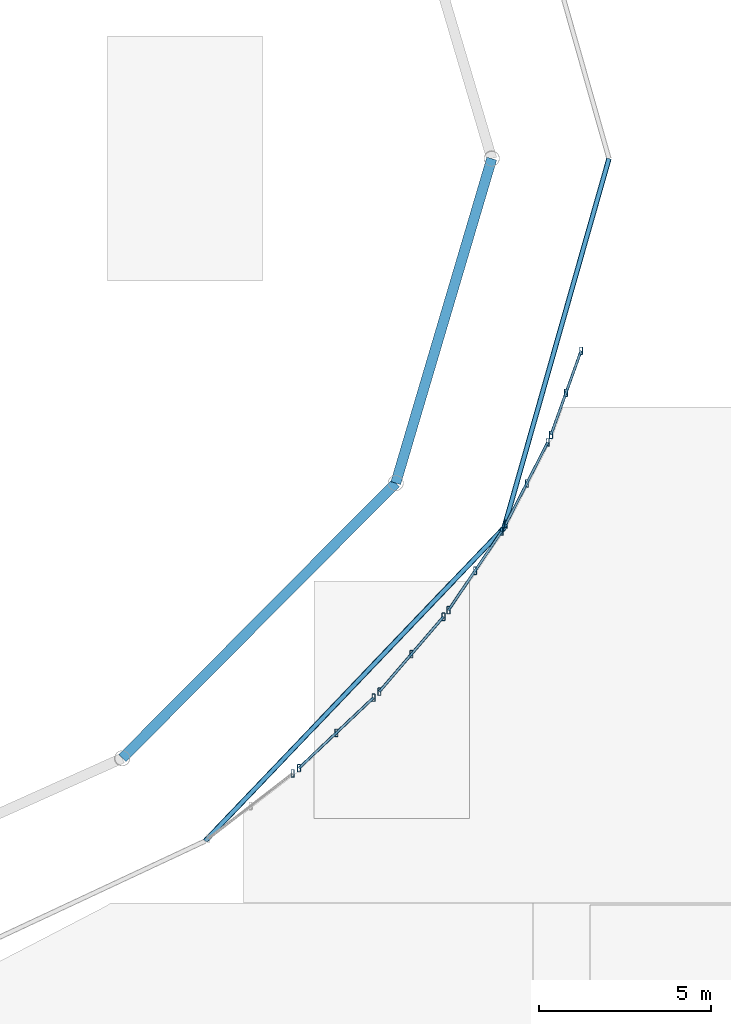
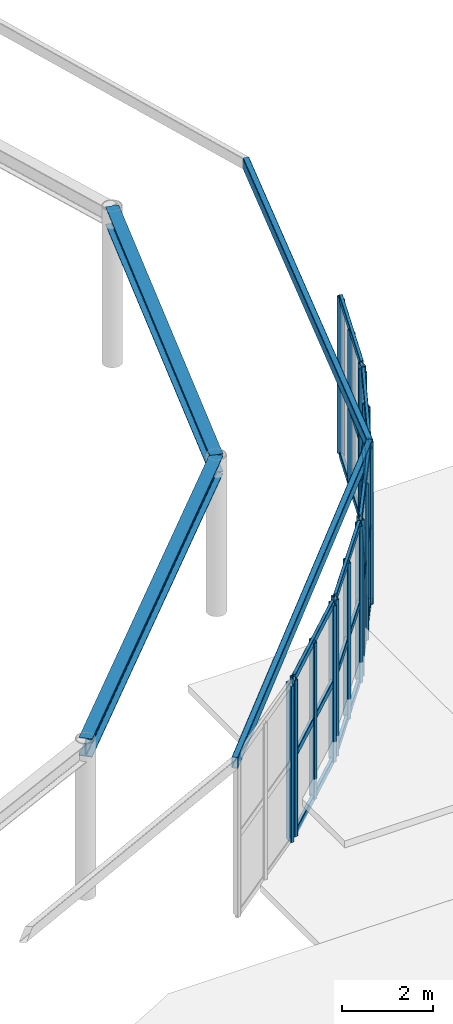
# One storey, part 25 of 73: 31 members, 4 beams, 6 elements without a shape of their own.
"""IFC4 building model written with IfcOpenShell, lengths in metres."""

from ifc_helpers import new_model, si_unit, derived_unit, direction, frame, origin, origin_2d, place, context, subcontext, project, spatial, hollow_rectangle, i_section, extrude, material, material_profile, profile_set, type_object, element, aggregate, save


model = new_model("IFC4")

# Units and contexts
model_context = context("Model", 3, precision=1e-05, world=origin(), true_north=direction((0.0, 1.0)))
body_context = subcontext(model_context, "Body", "Model", "MODEL_VIEW")
ifc_project = project(units=[si_unit("LENGTHUNIT", "METRE"), si_unit("AREAUNIT", "SQUARE_METRE"), si_unit("VOLUMEUNIT", "CUBIC_METRE"), si_unit("PLANEANGLEUNIT", "RADIAN"), si_unit("MASSUNIT", "GRAM", prefix="KILO"), derived_unit("THERMALTRANSMITTANCEUNIT", [(si_unit("MASSUNIT", "GRAM", prefix="KILO"), 1), (si_unit("TIMEUNIT", "SECOND"), -3), (si_unit("THERMODYNAMICTEMPERATUREUNIT", "KELVIN"), -1)])], contexts=[model_context])

# Site, building, storey
site_placement = place(None, origin())
site = spatial("IfcSite", under=ifc_project, at=site_placement, CompositionType="ELEMENT")
building_placement = place(site_placement, origin())
building = spatial("IfcBuilding", under=site, at=building_placement, Name="Kharveza Railside Sports Centre", CompositionType="ELEMENT")
storey_placement = place(building_placement, frame((0.0, 0.0, 8.699951171875)))
storey = spatial("IfcBuildingStorey", under=building, at=storey_placement, Name="L02", CompositionType="ELEMENT", Elevation=8.699951171875)

# Beams
ifc_material_1 = material(Name="Steel S355J2", Category="steel")
ifc_material_profile_1 = material_profile(ifc_material_1, i_section(OverallWidth=0.300048828125, OverallDepth=0.489990234375, WebThickness=0.011962890625, FlangeThickness=0.02294921875, FilletRadius=0.027099609375, at=origin_2d()), Name="HEA 500")
ifc_profile_set_1 = profile_set([ifc_material_profile_1], Name="Steel S355J2")
beam_type_1 = type_object("IfcBeamType", Name="BM-G08", PredefinedType="T_BEAM", material=ifc_profile_set_1)
beam_1_placement = place(storey_placement, frame((80.47998046875, 33.005126953125, 3.949951171875), z_axis=(0.705021062231, 0.709186366064, 0.0), x_axis=(-0.709186366064, 0.705021062231, 0.0)))
element("IfcBeam", 1, at=beam_1_placement, inside=storey, type_object=beam_type_1, Name="BM-DRING-L02-15", PredefinedType="T_BEAM", context=body_context, shape_type="SweptSolid", body=[
    extrude(i_section(OverallWidth=0.300048828125, OverallDepth=0.489990234375, WebThickness=0.011962890625, FlangeThickness=0.02294921875, FilletRadius=0.027099609375, at=origin_2d()), origin(), (0.0, 0.0, 1.0), 11.253662109375),
])
beam_2_placement = place(storey_placement, frame((88.4140625, 40.986083984375, 3.949951171875), z_axis=(0.283770797949, 0.958892138998, 0.0), x_axis=(-0.958892138998, 0.283770797949, 0.0)))
element("IfcBeam", 2, at=beam_2_placement, inside=storey, type_object=beam_type_1, Name="BM-DRING-L02-16", PredefinedType="T_BEAM", context=body_context, shape_type="SweptSolid", body=[
    extrude(i_section(OverallWidth=0.300048828125, OverallDepth=0.489990234375, WebThickness=0.011962890625, FlangeThickness=0.02294921875, FilletRadius=0.027099609375, at=origin_2d()), origin(), (0.0, 0.0, 1.0), 9.8173828125),
])
ifc_material_profile_2 = material_profile(ifc_material_1, hollow_rectangle(XDim=0.14990234375, YDim=0.300048828125, WallThickness=0.012451171875, InnerFilletRadius=0.012451171875, OuterFilletRadius=0.02490234375, at=origin_2d()), Name="RHS 150x300x12.5")
ifc_profile_set_2 = profile_set([ifc_material_profile_2], Name="Steel S355J2")
beam_type_2 = type_object("IfcBeamType", Name="BM-SP03", PredefinedType="SPANDREL", material=ifc_profile_set_2)
beam_3_placement = place(storey_placement, frame((82.88427734375, 30.60107421875, 4.150146484375), z_axis=(0.69047805862, 0.723353337287, 0.0), x_axis=(-0.723353337287, 0.69047805862, 0.0)))
element("IfcBeam", 3, at=beam_3_placement, inside=storey, type_object=beam_type_2, Name="BM-DCLER-HEAD-15", PredefinedType="SPANDREL", context=body_context, shape_type="SweptSolid", body=[
    extrude(hollow_rectangle(XDim=0.14990234375, YDim=0.300048828125, WallThickness=0.012451171875, InnerFilletRadius=0.012451171875, OuterFilletRadius=0.02490234375, at=origin_2d()), origin(), (0.0, 0.0, 1.0), 12.557861328125),
])
beam_4_placement = place(storey_placement, frame((91.55517578125, 39.684814453125, 4.150146484375), z_axis=(0.273348761597, 0.961914993403, 0.0), x_axis=(-0.961914993403, 0.273348761597, 0.0)))
element("IfcBeam", 4, at=beam_4_placement, inside=storey, type_object=beam_type_2, Name="BM-DCLER-HEAD-16", PredefinedType="SPANDREL", context=body_context, shape_type="SweptSolid", body=[
    extrude(hollow_rectangle(XDim=0.14990234375, YDim=0.300048828125, WallThickness=0.012451171875, InnerFilletRadius=0.012451171875, OuterFilletRadius=0.02490234375, at=origin_2d()), origin(), (0.0, 0.0, 1.0), 11.139404296875),
])

# Curtain wall, member
ifc_material_2 = material(Name="Low-E solar-control laminated glass", Category="glass")
curtain_wall_type = type_object("IfcCurtainWallType", Name="CW-DR01", PredefinedType="NOTDEFINED", material=ifc_material_2)
curtain_wall_1_placement = place(storey_placement, origin())
curtain_wall_1 = element("IfcCurtainWall", 5, at=curtain_wall_1_placement, inside=storey, type_object=curtain_wall_type, Name="CW-DRUM-57", PredefinedType="NOTDEFINED")
ifc_material_3 = material(Name="Anodised aluminium 6063-T6", Category="aluminium")
ifc_material_profile_3 = material_profile(ifc_material_3, hollow_rectangle(XDim=0.090087890625, YDim=0.219970703125, WallThickness=0.008056640625, InnerFilletRadius=0.008056640625, OuterFilletRadius=0.01611328125, at=origin_2d()), Name="RHS 90x220x8.0")
ifc_profile_set_3 = profile_set([ifc_material_profile_3], Name="Anodised aluminium 6063-T6")
member_type_1 = type_object("IfcMemberType", Name="CW-ML01", PredefinedType="MULLION", material=ifc_profile_set_3)
member_1_placement = place(storey_placement, frame((85.42529296875, 32.563720703125, 0.0), z_axis=(0.0, 0.0, 1.0), x_axis=(1.0, 0.0, 0.0)))
member_1 = element("IfcMember", 6, at=member_1_placement, type_object=member_type_1, Name="CW-DRUM-57-ML3", PredefinedType="MULLION", context=body_context, shape_type="SweptSolid", body=[
    extrude(hollow_rectangle(XDim=0.090087890625, YDim=0.219970703125, WallThickness=0.008056640625, InnerFilletRadius=0.008056640625, OuterFilletRadius=0.01611328125, at=origin_2d()), origin(), (0.0, 0.0, 1.0), 4.199951171875),
])
aggregate(curtain_wall_1, [member_1])

# Curtain wall, members
curtain_wall_2_placement = place(storey_placement, origin())
curtain_wall_2 = element("IfcCurtainWall", 7, at=curtain_wall_2_placement, inside=storey, type_object=curtain_wall_type, Name="CW-DRUM-58", PredefinedType="NOTDEFINED")
member_2_placement = place(storey_placement, frame((85.607666015625, 32.719482421875, 0.0), z_axis=(0.0, 0.0, 1.0), x_axis=(1.0, 0.0, 0.0)))
member_2 = element("IfcMember", 8, at=member_2_placement, type_object=member_type_1, Name="CW-DRUM-58-ML1", PredefinedType="MULLION", context=body_context, shape_type="SweptSolid", body=[
    extrude(hollow_rectangle(XDim=0.090087890625, YDim=0.219970703125, WallThickness=0.008056640625, InnerFilletRadius=0.008056640625, OuterFilletRadius=0.01611328125, at=origin_2d()), origin(), (0.0, 0.0, 1.0), 4.199951171875),
])
member_3_placement = place(storey_placement, frame((86.689697265625, 33.740478515625, 0.0), z_axis=(0.0, 0.0, 1.0), x_axis=(1.0, 0.0, 0.0)))
member_3 = element("IfcMember", 9, at=member_3_placement, type_object=member_type_1, Name="CW-DRUM-58-ML2", PredefinedType="MULLION", context=body_context, shape_type="SweptSolid", body=[
    extrude(hollow_rectangle(XDim=0.090087890625, YDim=0.219970703125, WallThickness=0.008056640625, InnerFilletRadius=0.008056640625, OuterFilletRadius=0.01611328125, at=origin_2d()), origin(), (0.0, 0.0, 1.0), 4.199951171875),
])
member_4_placement = place(storey_placement, frame((87.771484375, 34.76171875, 0.0), z_axis=(0.0, 0.0, 1.0), x_axis=(1.0, 0.0, 0.0)))
member_4 = element("IfcMember", 10, at=member_4_placement, type_object=member_type_1, Name="CW-DRUM-58-ML3", PredefinedType="MULLION", context=body_context, shape_type="SweptSolid", body=[
    extrude(hollow_rectangle(XDim=0.090087890625, YDim=0.219970703125, WallThickness=0.008056640625, InnerFilletRadius=0.008056640625, OuterFilletRadius=0.01611328125, at=origin_2d()), origin(), (0.0, 0.0, 1.0), 4.199951171875),
])

curtain_wall_3_placement = place(storey_placement, origin())
curtain_wall_3 = element("IfcCurtainWall", 11, at=curtain_wall_3_placement, inside=storey, type_object=curtain_wall_type, Name="CW-DRUM-59", PredefinedType="NOTDEFINED")
member_5_placement = place(storey_placement, frame((87.936767578125, 34.935302734375, 0.0), z_axis=(0.0, 0.0, 1.0), x_axis=(1.0, 0.0, 0.0)))
member_5 = element("IfcMember", 12, at=member_5_placement, type_object=member_type_1, Name="CW-DRUM-59-ML1", PredefinedType="MULLION", context=body_context, shape_type="SweptSolid", body=[
    extrude(hollow_rectangle(XDim=0.090087890625, YDim=0.219970703125, WallThickness=0.008056640625, InnerFilletRadius=0.008056640625, OuterFilletRadius=0.01611328125, at=origin_2d()), origin(), (0.0, 0.0, 1.0), 4.199951171875),
])
member_6_placement = place(storey_placement, frame((88.867919921875, 36.0224609375, 0.0), z_axis=(0.0, 0.0, 1.0), x_axis=(1.0, 0.0, 0.0)))
member_6 = element("IfcMember", 13, at=member_6_placement, type_object=member_type_1, Name="CW-DRUM-59-ML2", PredefinedType="MULLION", context=body_context, shape_type="SweptSolid", body=[
    extrude(hollow_rectangle(XDim=0.090087890625, YDim=0.219970703125, WallThickness=0.008056640625, InnerFilletRadius=0.008056640625, OuterFilletRadius=0.01611328125, at=origin_2d()), origin(), (0.0, 0.0, 1.0), 4.199951171875),
])
member_7_placement = place(storey_placement, frame((89.798828125, 37.109619140625, 0.0), z_axis=(0.0, 0.0, 1.0), x_axis=(1.0, 0.0, 0.0)))
member_7 = element("IfcMember", 14, at=member_7_placement, type_object=member_type_1, Name="CW-DRUM-59-ML3", PredefinedType="MULLION", context=body_context, shape_type="SweptSolid", body=[
    extrude(hollow_rectangle(XDim=0.090087890625, YDim=0.219970703125, WallThickness=0.008056640625, InnerFilletRadius=0.008056640625, OuterFilletRadius=0.01611328125, at=origin_2d()), origin(), (0.0, 0.0, 1.0), 4.199951171875),
])

curtain_wall_4_placement = place(storey_placement, origin())
curtain_wall_4 = element("IfcCurtainWall", 15, at=curtain_wall_4_placement, inside=storey, type_object=curtain_wall_type, Name="CW-DRUM-60", PredefinedType="NOTDEFINED")
member_8_placement = place(storey_placement, frame((89.944091796875, 37.30029296875, 0.0), z_axis=(0.0, 0.0, 1.0), x_axis=(1.0, 0.0, 0.0)))
member_8 = element("IfcMember", 16, at=member_8_placement, type_object=member_type_1, Name="CW-DRUM-60-ML1", PredefinedType="MULLION", context=body_context, shape_type="SweptSolid", body=[
    extrude(hollow_rectangle(XDim=0.090087890625, YDim=0.219970703125, WallThickness=0.008056640625, InnerFilletRadius=0.008056640625, OuterFilletRadius=0.01611328125, at=origin_2d()), origin(), (0.0, 0.0, 1.0), 4.199951171875),
])
member_9_placement = place(storey_placement, frame((90.716064453125, 38.44287109375, 0.0), z_axis=(0.0, 0.0, 1.0), x_axis=(1.0, 0.0, 0.0)))
member_9 = element("IfcMember", 17, at=member_9_placement, type_object=member_type_1, Name="CW-DRUM-60-ML2", PredefinedType="MULLION", context=body_context, shape_type="SweptSolid", body=[
    extrude(hollow_rectangle(XDim=0.090087890625, YDim=0.219970703125, WallThickness=0.008056640625, InnerFilletRadius=0.008056640625, OuterFilletRadius=0.01611328125, at=origin_2d()), origin(), (0.0, 0.0, 1.0), 4.199951171875),
])
member_10_placement = place(storey_placement, frame((91.488037109375, 39.58544921875, 0.0), z_axis=(0.0, 0.0, 1.0), x_axis=(1.0, 0.0, 0.0)))
member_10 = element("IfcMember", 18, at=member_10_placement, type_object=member_type_1, Name="CW-DRUM-60-ML3", PredefinedType="MULLION", context=body_context, shape_type="SweptSolid", body=[
    extrude(hollow_rectangle(XDim=0.090087890625, YDim=0.219970703125, WallThickness=0.008056640625, InnerFilletRadius=0.008056640625, OuterFilletRadius=0.01611328125, at=origin_2d()), origin(), (0.0, 0.0, 1.0), 4.199951171875),
])

curtain_wall_5_placement = place(storey_placement, origin())
curtain_wall_5 = element("IfcCurtainWall", 19, at=curtain_wall_5_placement, inside=storey, type_object=curtain_wall_type, Name="CW-DRUM-61", PredefinedType="NOTDEFINED")
member_11_placement = place(storey_placement, frame((91.60986328125, 39.791748046875, 0.0), z_axis=(0.0, 0.0, 1.0), x_axis=(1.0, 0.0, 0.0)))
member_11 = element("IfcMember", 20, at=member_11_placement, type_object=member_type_1, Name="CW-DRUM-61-ML1", PredefinedType="MULLION", context=body_context, shape_type="SweptSolid", body=[
    extrude(hollow_rectangle(XDim=0.090087890625, YDim=0.219970703125, WallThickness=0.008056640625, InnerFilletRadius=0.008056640625, OuterFilletRadius=0.01611328125, at=origin_2d()), origin(), (0.0, 0.0, 1.0), 4.199951171875),
])
member_12_placement = place(storey_placement, frame((92.21630859375, 40.978515625, 0.0), z_axis=(0.0, 0.0, 1.0), x_axis=(1.0, 0.0, 0.0)))
member_12 = element("IfcMember", 21, at=member_12_placement, type_object=member_type_1, Name="CW-DRUM-61-ML2", PredefinedType="MULLION", context=body_context, shape_type="SweptSolid", body=[
    extrude(hollow_rectangle(XDim=0.090087890625, YDim=0.219970703125, WallThickness=0.008056640625, InnerFilletRadius=0.008056640625, OuterFilletRadius=0.01611328125, at=origin_2d()), origin(), (0.0, 0.0, 1.0), 4.199951171875),
])
member_13_placement = place(storey_placement, frame((92.822998046875, 42.165283203125, 0.0), z_axis=(0.0, 0.0, 1.0), x_axis=(1.0, 0.0, 0.0)))
member_13 = element("IfcMember", 22, at=member_13_placement, type_object=member_type_1, Name="CW-DRUM-61-ML3", PredefinedType="MULLION", context=body_context, shape_type="SweptSolid", body=[
    extrude(hollow_rectangle(XDim=0.090087890625, YDim=0.219970703125, WallThickness=0.008056640625, InnerFilletRadius=0.008056640625, OuterFilletRadius=0.01611328125, at=origin_2d()), origin(), (0.0, 0.0, 1.0), 4.199951171875),
])

curtain_wall_6_placement = place(storey_placement, origin())
curtain_wall_6 = element("IfcCurtainWall", 23, at=curtain_wall_6_placement, inside=storey, type_object=curtain_wall_type, Name="CW-DRUM-62", PredefinedType="NOTDEFINED")
member_14_placement = place(storey_placement, frame((92.91796875, 42.385009765625, 0.0), z_axis=(0.0, 0.0, 1.0), x_axis=(1.0, 0.0, 0.0)))
member_14 = element("IfcMember", 24, at=member_14_placement, type_object=member_type_1, Name="CW-DRUM-62-ML1", PredefinedType="MULLION", context=body_context, shape_type="SweptSolid", body=[
    extrude(hollow_rectangle(XDim=0.090087890625, YDim=0.219970703125, WallThickness=0.008056640625, InnerFilletRadius=0.008056640625, OuterFilletRadius=0.01611328125, at=origin_2d()), origin(), (0.0, 0.0, 1.0), 4.199951171875),
])
member_15_placement = place(storey_placement, frame((93.3544921875, 43.604736328125, 0.0), z_axis=(0.0, 0.0, 1.0), x_axis=(1.0, 0.0, 0.0)))
member_15 = element("IfcMember", 25, at=member_15_placement, type_object=member_type_1, Name="CW-DRUM-62-ML2", PredefinedType="MULLION", context=body_context, shape_type="SweptSolid", body=[
    extrude(hollow_rectangle(XDim=0.090087890625, YDim=0.219970703125, WallThickness=0.008056640625, InnerFilletRadius=0.008056640625, OuterFilletRadius=0.01611328125, at=origin_2d()), origin(), (0.0, 0.0, 1.0), 4.199951171875),
])
member_16_placement = place(storey_placement, frame((93.791015625, 44.824462890625, 0.0), z_axis=(0.0, 0.0, 1.0), x_axis=(1.0, 0.0, 0.0)))
member_16 = element("IfcMember", 26, at=member_16_placement, type_object=member_type_1, Name="CW-DRUM-62-ML3", PredefinedType="MULLION", context=body_context, shape_type="SweptSolid", body=[
    extrude(hollow_rectangle(XDim=0.090087890625, YDim=0.219970703125, WallThickness=0.008056640625, InnerFilletRadius=0.008056640625, OuterFilletRadius=0.01611328125, at=origin_2d()), origin(), (0.0, 0.0, 1.0), 4.199951171875),
])

# Member
ifc_material_profile_4 = material_profile(ifc_material_3, hollow_rectangle(XDim=0.080078125, YDim=0.179931640625, WallThickness=0.00634765625, InnerFilletRadius=0.00634765625, OuterFilletRadius=0.0126953125, at=origin_2d()), Name="RHS 80x180x6.3")
ifc_profile_set_4 = profile_set([ifc_material_profile_4], Name="Anodised aluminium 6063-T6")
member_type_2 = type_object("IfcMemberType", Name="CW-TR01", PredefinedType="USERDEFINED", material=ifc_profile_set_4)
member_17_placement = place(storey_placement, frame((85.607666015625, 32.719482421875, 0.0), z_axis=(0.727242942811, 0.686380144039, 0.0), x_axis=(-0.686380144039, 0.727242942811, 0.0)))
member_17 = element("IfcMember", 27, at=member_17_placement, type_object=member_type_2, Name="CW-DRUM-58-TR1", ObjectType="TRANSOM", PredefinedType="USERDEFINED", context=body_context, shape_type="SweptSolid", body=[
    extrude(hollow_rectangle(XDim=0.080078125, YDim=0.179931640625, WallThickness=0.00634765625, InnerFilletRadius=0.00634765625, OuterFilletRadius=0.0126953125, at=origin_2d()), origin(), (0.0, 0.0, 1.0), 2.975341796875),
])

member_18_placement = place(storey_placement, frame((85.607666015625, 32.719482421875, 2.10009765625), z_axis=(0.727242942811, 0.686380144039, 0.0), x_axis=(-0.686380144039, 0.727242942811, 0.0)))
member_18 = element("IfcMember", 28, at=member_18_placement, type_object=member_type_2, Name="CW-DRUM-58-TR2", ObjectType="TRANSOM", PredefinedType="USERDEFINED", context=body_context, shape_type="SweptSolid", body=[
    extrude(hollow_rectangle(XDim=0.080078125, YDim=0.179931640625, WallThickness=0.00634765625, InnerFilletRadius=0.00634765625, OuterFilletRadius=0.0126953125, at=origin_2d()), origin(), (0.0, 0.0, 1.0), 2.975341796875),
])

member_19_placement = place(storey_placement, frame((85.607666015625, 32.719482421875, 4.199951171875), z_axis=(0.727242942811, 0.686380144039, 0.0), x_axis=(-0.686380144039, 0.727242942811, 0.0)))
member_19 = element("IfcMember", 29, at=member_19_placement, type_object=member_type_2, Name="CW-DRUM-58-TR3", ObjectType="TRANSOM", PredefinedType="USERDEFINED", context=body_context, shape_type="SweptSolid", body=[
    extrude(hollow_rectangle(XDim=0.080078125, YDim=0.179931640625, WallThickness=0.00634765625, InnerFilletRadius=0.00634765625, OuterFilletRadius=0.0126953125, at=origin_2d()), origin(), (0.0, 0.0, 1.0), 2.975341796875),
])

aggregate(curtain_wall_2, [member_2, member_3, member_4, member_17, member_18, member_19])

member_20_placement = place(storey_placement, frame((87.936767578125, 34.935302734375, 0.0), z_axis=(0.650461212629, 0.759539472882, 0.0), x_axis=(-0.759539472882, 0.650461212629, 0.0)))
member_20 = element("IfcMember", 30, at=member_20_placement, type_object=member_type_2, Name="CW-DRUM-59-TR1", ObjectType="TRANSOM", PredefinedType="USERDEFINED", context=body_context, shape_type="SweptSolid", body=[
    extrude(hollow_rectangle(XDim=0.080078125, YDim=0.179931640625, WallThickness=0.00634765625, InnerFilletRadius=0.00634765625, OuterFilletRadius=0.0126953125, at=origin_2d()), origin(), (0.0, 0.0, 1.0), 2.86279296875),
])

member_21_placement = place(storey_placement, frame((87.936767578125, 34.935302734375, 2.10009765625), z_axis=(0.650461212629, 0.759539472882, 0.0), x_axis=(-0.759539472882, 0.650461212629, 0.0)))
member_21 = element("IfcMember", 31, at=member_21_placement, type_object=member_type_2, Name="CW-DRUM-59-TR2", ObjectType="TRANSOM", PredefinedType="USERDEFINED", context=body_context, shape_type="SweptSolid", body=[
    extrude(hollow_rectangle(XDim=0.080078125, YDim=0.179931640625, WallThickness=0.00634765625, InnerFilletRadius=0.00634765625, OuterFilletRadius=0.0126953125, at=origin_2d()), origin(), (0.0, 0.0, 1.0), 2.86279296875),
])

member_22_placement = place(storey_placement, frame((87.936767578125, 34.935302734375, 4.199951171875), z_axis=(0.650461212629, 0.759539472882, 0.0), x_axis=(-0.759539472882, 0.650461212629, 0.0)))
member_22 = element("IfcMember", 32, at=member_22_placement, type_object=member_type_2, Name="CW-DRUM-59-TR3", ObjectType="TRANSOM", PredefinedType="USERDEFINED", context=body_context, shape_type="SweptSolid", body=[
    extrude(hollow_rectangle(XDim=0.080078125, YDim=0.179931640625, WallThickness=0.00634765625, InnerFilletRadius=0.00634765625, OuterFilletRadius=0.0126953125, at=origin_2d()), origin(), (0.0, 0.0, 1.0), 2.86279296875),
])

aggregate(curtain_wall_3, [member_5, member_6, member_7, member_20, member_21, member_22])

member_23_placement = place(storey_placement, frame((89.944091796875, 37.30029296875, 0.0), z_axis=(0.559837699237, 0.828602287296, 0.0), x_axis=(-0.828602287296, 0.559837699237, 0.0)))
member_23 = element("IfcMember", 33, at=member_23_placement, type_object=member_type_2, Name="CW-DRUM-60-TR1", ObjectType="TRANSOM", PredefinedType="USERDEFINED", context=body_context, shape_type="SweptSolid", body=[
    extrude(hollow_rectangle(XDim=0.080078125, YDim=0.179931640625, WallThickness=0.00634765625, InnerFilletRadius=0.00634765625, OuterFilletRadius=0.0126953125, at=origin_2d()), origin(), (0.0, 0.0, 1.0), 2.7578125),
])

member_24_placement = place(storey_placement, frame((89.944091796875, 37.30029296875, 2.10009765625), z_axis=(0.559837699237, 0.828602287296, 0.0), x_axis=(-0.828602287296, 0.559837699237, 0.0)))
member_24 = element("IfcMember", 34, at=member_24_placement, type_object=member_type_2, Name="CW-DRUM-60-TR2", ObjectType="TRANSOM", PredefinedType="USERDEFINED", context=body_context, shape_type="SweptSolid", body=[
    extrude(hollow_rectangle(XDim=0.080078125, YDim=0.179931640625, WallThickness=0.00634765625, InnerFilletRadius=0.00634765625, OuterFilletRadius=0.0126953125, at=origin_2d()), origin(), (0.0, 0.0, 1.0), 2.7578125),
])

member_25_placement = place(storey_placement, frame((89.944091796875, 37.30029296875, 4.199951171875), z_axis=(0.559837699237, 0.828602287296, 0.0), x_axis=(-0.828602287296, 0.559837699237, 0.0)))
member_25 = element("IfcMember", 35, at=member_25_placement, type_object=member_type_2, Name="CW-DRUM-60-TR3", ObjectType="TRANSOM", PredefinedType="USERDEFINED", context=body_context, shape_type="SweptSolid", body=[
    extrude(hollow_rectangle(XDim=0.080078125, YDim=0.179931640625, WallThickness=0.00634765625, InnerFilletRadius=0.00634765625, OuterFilletRadius=0.0126953125, at=origin_2d()), origin(), (0.0, 0.0, 1.0), 2.7578125),
])

aggregate(curtain_wall_4, [member_8, member_9, member_10, member_23, member_24, member_25])

member_26_placement = place(storey_placement, frame((91.60986328125, 39.791748046875, 0.0), z_axis=(0.45510944603, 0.890435507004, 0.0), x_axis=(-0.890435507004, 0.45510944603, 0.0)))
member_26 = element("IfcMember", 36, at=member_26_placement, type_object=member_type_2, Name="CW-DRUM-61-TR1", ObjectType="TRANSOM", PredefinedType="USERDEFINED", context=body_context, shape_type="SweptSolid", body=[
    extrude(hollow_rectangle(XDim=0.080078125, YDim=0.179931640625, WallThickness=0.00634765625, InnerFilletRadius=0.00634765625, OuterFilletRadius=0.0126953125, at=origin_2d()), origin(), (0.0, 0.0, 1.0), 2.66552734375),
])

member_27_placement = place(storey_placement, frame((91.60986328125, 39.791748046875, 2.10009765625), z_axis=(0.45510944603, 0.890435507004, 0.0), x_axis=(-0.890435507004, 0.45510944603, 0.0)))
member_27 = element("IfcMember", 37, at=member_27_placement, type_object=member_type_2, Name="CW-DRUM-61-TR2", ObjectType="TRANSOM", PredefinedType="USERDEFINED", context=body_context, shape_type="SweptSolid", body=[
    extrude(hollow_rectangle(XDim=0.080078125, YDim=0.179931640625, WallThickness=0.00634765625, InnerFilletRadius=0.00634765625, OuterFilletRadius=0.0126953125, at=origin_2d()), origin(), (0.0, 0.0, 1.0), 2.66552734375),
])

member_28_placement = place(storey_placement, frame((91.60986328125, 39.791748046875, 4.199951171875), z_axis=(0.45510944603, 0.890435507004, 0.0), x_axis=(-0.890435507004, 0.45510944603, 0.0)))
member_28 = element("IfcMember", 38, at=member_28_placement, type_object=member_type_2, Name="CW-DRUM-61-TR3", ObjectType="TRANSOM", PredefinedType="USERDEFINED", context=body_context, shape_type="SweptSolid", body=[
    extrude(hollow_rectangle(XDim=0.080078125, YDim=0.179931640625, WallThickness=0.00634765625, InnerFilletRadius=0.00634765625, OuterFilletRadius=0.0126953125, at=origin_2d()), origin(), (0.0, 0.0, 1.0), 2.66552734375),
])

aggregate(curtain_wall_5, [member_11, member_12, member_13, member_26, member_27, member_28])

member_29_placement = place(storey_placement, frame((92.91796875, 42.385009765625, 0.0), z_axis=(0.336957116083, 0.941519995497, 0.0), x_axis=(-0.941519995497, 0.336957116083, 0.0)))
member_29 = element("IfcMember", 39, at=member_29_placement, type_object=member_type_2, Name="CW-DRUM-62-TR1", ObjectType="TRANSOM", PredefinedType="USERDEFINED", context=body_context, shape_type="SweptSolid", body=[
    extrude(hollow_rectangle(XDim=0.080078125, YDim=0.179931640625, WallThickness=0.00634765625, InnerFilletRadius=0.00634765625, OuterFilletRadius=0.0126953125, at=origin_2d()), origin(), (0.0, 0.0, 1.0), 2.591064453125),
])

member_30_placement = place(storey_placement, frame((92.91796875, 42.385009765625, 2.10009765625), z_axis=(0.336957116083, 0.941519995497, 0.0), x_axis=(-0.941519995497, 0.336957116083, 0.0)))
member_30 = element("IfcMember", 40, at=member_30_placement, type_object=member_type_2, Name="CW-DRUM-62-TR2", ObjectType="TRANSOM", PredefinedType="USERDEFINED", context=body_context, shape_type="SweptSolid", body=[
    extrude(hollow_rectangle(XDim=0.080078125, YDim=0.179931640625, WallThickness=0.00634765625, InnerFilletRadius=0.00634765625, OuterFilletRadius=0.0126953125, at=origin_2d()), origin(), (0.0, 0.0, 1.0), 2.591064453125),
])

member_31_placement = place(storey_placement, frame((92.91796875, 42.385009765625, 4.199951171875), z_axis=(0.336957116083, 0.941519995497, 0.0), x_axis=(-0.941519995497, 0.336957116083, 0.0)))
member_31 = element("IfcMember", 41, at=member_31_placement, type_object=member_type_2, Name="CW-DRUM-62-TR3", ObjectType="TRANSOM", PredefinedType="USERDEFINED", context=body_context, shape_type="SweptSolid", body=[
    extrude(hollow_rectangle(XDim=0.080078125, YDim=0.179931640625, WallThickness=0.00634765625, InnerFilletRadius=0.00634765625, OuterFilletRadius=0.0126953125, at=origin_2d()), origin(), (0.0, 0.0, 1.0), 2.591064453125),
])

aggregate(curtain_wall_6, [member_14, member_15, member_16, member_29, member_30, member_31])

save(model, "model.ifc")
